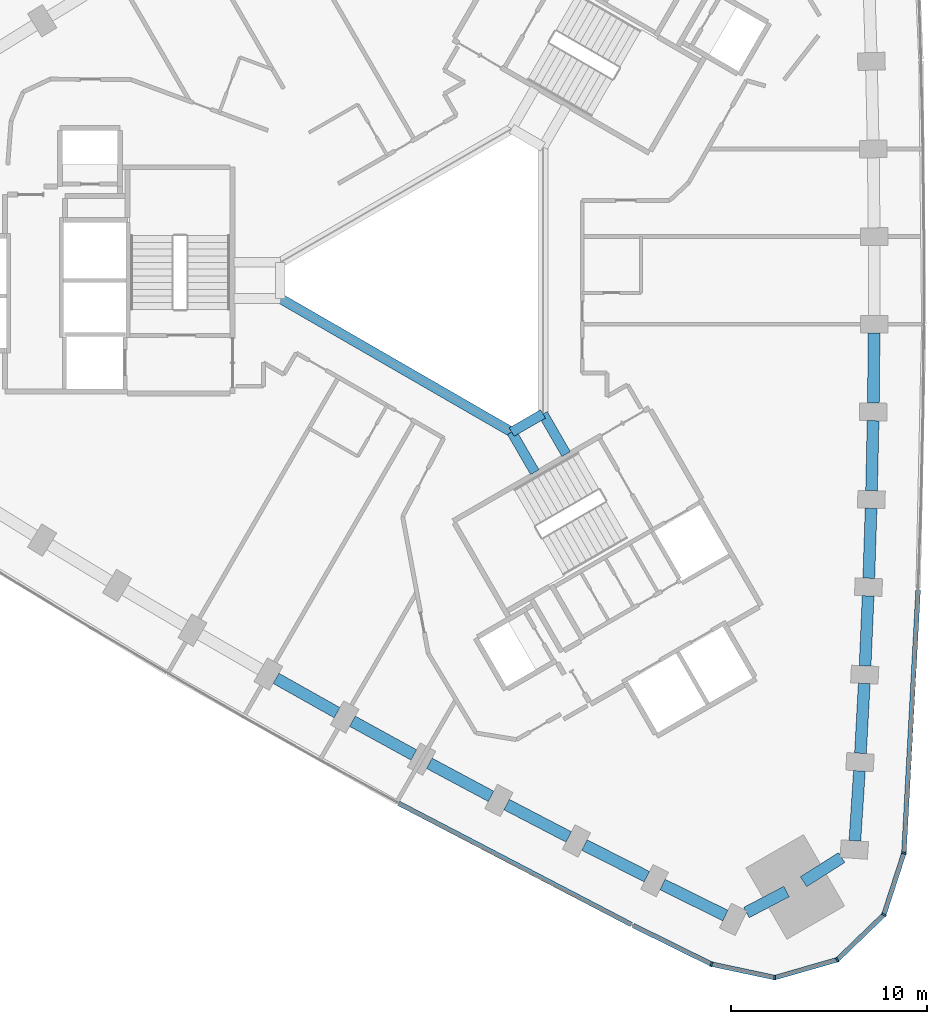
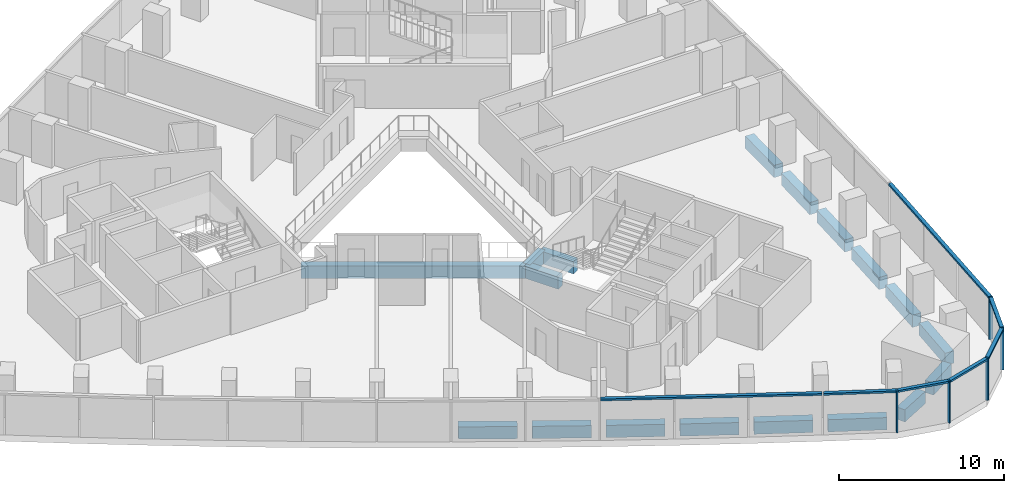
# One storey, part 3 of 13: 18 beams, 12 members, 2 elements without a shape of their own.
"""IFC4 building model written with IfcOpenShell, lengths in metres."""

from ifc_helpers import new_model, si_unit, direction, frame, origin, origin_2d, place, context, subcontext, project, spatial, rectangle, extrude, material, material_profile, profile_set, type_object, element, aggregate, save


model = new_model("IFC4")

# Units and contexts
model_context = context("Model", 3, precision=1e-05, world=origin(), true_north=direction((0.0, 1.0)))
body_context = subcontext(model_context, "Body", "Model", "MODEL_VIEW")
ifc_project = project(units=[si_unit("LENGTHUNIT", "METRE"), si_unit("AREAUNIT", "SQUARE_METRE"), si_unit("VOLUMEUNIT", "CUBIC_METRE"), si_unit("PLANEANGLEUNIT", "RADIAN"), si_unit("MASSUNIT", "GRAM", prefix="KILO")], contexts=[model_context])

# Site, building, storey
site_placement = place(None, origin())
site = spatial("IfcSite", under=ifc_project, at=site_placement, CompositionType="ELEMENT")
building_placement = place(site_placement, origin())
building = spatial("IfcBuilding", under=site, at=building_placement, Name="Tamra Quay Hotel Tower", CompositionType="ELEMENT")
storey_placement = place(building_placement, frame((0.0, 0.0, 60.199951171875)))
storey = spatial("IfcBuildingStorey", under=building, at=storey_placement, Name="L13", CompositionType="ELEMENT", Elevation=60.199951171875)

# Beams
ifc_material_1 = material(Name="Concrete M60", Category="concrete")
ifc_material_profile_1 = material_profile(ifc_material_1, rectangle(XDim=0.5, YDim=0.89990234375, at=origin_2d()), Name="ATRIUM EDGE BEAM RC 500x900")
ifc_profile_set_1 = profile_set([ifc_material_profile_1], Name="Concrete M60")
beam_type_1 = type_object("IfcBeamType", Name="ATRIUM EDGE BEAM RC 500x900", PredefinedType="BEAM", material=ifc_profile_set_1)
beam_1_placement = place(storey_placement, frame((5.0, -6.812744140625, -0.925048828125), z_axis=(-0.86602275259, -0.500004591975, 0.0), x_axis=(0.500004591975, -0.86602275259, 0.0)))
element("IfcBeam", 1, at=beam_1_placement, inside=storey, type_object=beam_type_1, Name="BM-AB1-L13", PredefinedType="BEAM", context=body_context, shape_type="SweptSolid", body=[
    extrude(rectangle(XDim=0.5, YDim=0.89990234375, at=origin_2d()), origin(), (0.0, 0.0, 1.0), 1.84765625),
])
beam_2_placement = place(storey_placement, frame((3.39990234375, -7.736572265625, -0.925048828125), z_axis=(-0.866021471679, 0.500006810544, 0.0), x_axis=(-0.500006810544, -0.866021471679, 0.0)))
element("IfcBeam", 2, at=beam_2_placement, inside=storey, type_object=beam_type_1, Name="BM-AB2-L13", PredefinedType="BEAM", context=body_context, shape_type="SweptSolid", body=[
    extrude(rectangle(XDim=0.5, YDim=0.89990234375, at=origin_2d()), origin(), (0.0, 0.0, 1.0), 13.625244140625),
])
ifc_material_profile_2 = material_profile(ifc_material_1, rectangle(XDim=0.5, YDim=0.89990234375, at=origin_2d()), Name="ATRIUM TIE BEAM RC 500x900")
ifc_profile_set_2 = profile_set([ifc_material_profile_2], Name="Concrete M60")
beam_type_2 = type_object("IfcBeamType", Name="ATRIUM TIE BEAM RC 500x900", PredefinedType="BEAM", material=ifc_profile_set_2)
for number, where, z_axis, x_axis, name in (
    (3, (5.0, -6.812744140625, -0.925048828125), (0.500029618126, -0.866008303076, 0.0), (0.866008303076, 0.500029618126, 0.0), "BM-TIE-1-L13"),
    (4, (3.39990234375, -7.736572265625, -0.925048828125), (0.500029618126, -0.866008303076, 0.0), (0.866008303076, 0.500029618126, 0.0), "BM-TIE-2-L13"),
):
    element("IfcBeam", number, at=place(storey_placement, frame(where, z_axis=z_axis, x_axis=x_axis)), inside=storey, type_object=beam_type_2, Name=name, PredefinedType="BEAM", context=body_context, shape_type="SweptSolid", body=[
        extrude(rectangle(XDim=0.5, YDim=0.89990234375, at=origin_2d()), origin(), (0.0, 0.0, 1.0), 2.362060546875),
    ])

# Curtain wall, member
ifc_material_2 = material(Name="Aluminium 6063 anodised dark grey", Category="aluminium")
curtain_wall_type_1 = type_object("IfcCurtainWallType", Name="CW1 CURTAIN WALL", PredefinedType="NOTDEFINED", material=ifc_material_2)
curtain_wall_1_placement = place(storey_placement, origin())
curtain_wall_1 = element("IfcCurtainWall", 5, at=curtain_wall_1_placement, inside=storey, type_object=curtain_wall_type_1, Name="CW1 east face L13", PredefinedType="NOTDEFINED")
ifc_material_profile_3 = material_profile(ifc_material_2, rectangle(XDim=0.239990234375, YDim=0.10009765625, at=origin_2d()), Name="MULLION 100X240")
ifc_profile_set_3 = profile_set([ifc_material_profile_3], Name="Aluminium 6063 anodised dark grey")
member_type_1 = type_object("IfcMemberType", Name="MULLION CW1 Z1", PredefinedType="MULLION", material=ifc_profile_set_3)
member_1_placement = place(storey_placement, frame((23.40869140625, -29.2109375, 0.0), z_axis=(0.0, 0.0, 1.0), x_axis=(0.982094529733, -0.188388785943, 0.0)))
member_1 = element("IfcMember", 6, at=member_1_placement, type_object=member_type_1, Name="CW1 mullion L13.E.1", PredefinedType="MULLION", context=body_context, shape_type="SweptSolid", body=[
    extrude(rectangle(XDim=0.239990234375, YDim=0.10009765625, at=origin_2d()), origin(), (0.0, 0.0, 1.0), 3.125),
])

# Curtain wall, members
curtain_wall_type_2 = type_object("IfcCurtainWallType", Name="CW3 CURTAIN WALL", PredefinedType="NOTDEFINED", material=ifc_material_2)
curtain_wall_2_placement = place(storey_placement, origin())
curtain_wall_2 = element("IfcCurtainWall", 7, at=curtain_wall_2_placement, inside=storey, type_object=curtain_wall_type_2, Name="CW3 south-west face L13", PredefinedType="NOTDEFINED")
ifc_material_profile_4 = material_profile(ifc_material_2, rectangle(XDim=0.239990234375, YDim=0.10009765625, at=origin_2d()), Name="MULLION 100X240")
ifc_profile_set_4 = profile_set([ifc_material_profile_4], Name="Aluminium 6063 anodised dark grey")
member_type_2 = type_object("IfcMemberType", Name="MULLION CW3 Z1", PredefinedType="MULLION", material=ifc_profile_set_4)
member_2_placement = place(storey_placement, frame((13.593017578125, -34.8779296875, 0.0), z_axis=(0.0, 0.0, 1.0), x_axis=(-0.327897790452, -0.944713204638, 0.0)))
member_2 = element("IfcMember", 8, at=member_2_placement, type_object=member_type_2, Name="CW3 mullion L13.SW.14", PredefinedType="MULLION", context=body_context, shape_type="SweptSolid", body=[
    extrude(rectangle(XDim=0.239990234375, YDim=0.10009765625, at=origin_2d()), origin(), (0.0, 0.0, 1.0), 3.125),
])
member_3_placement = place(storey_placement, frame((16.828125, -35.5654296875, 0.0), z_axis=(0.0, 0.0, 1.0), x_axis=(0.034915999879, -0.999390250579, 0.0)))
member_3 = element("IfcMember", 9, at=member_3_placement, type_object=member_type_2, Name="CW3 mullion L13.SW.15", PredefinedType="MULLION", context=body_context, shape_type="SweptSolid", body=[
    extrude(rectangle(XDim=0.239990234375, YDim=0.10009765625, at=origin_2d()), origin(), (0.0, 0.0, 1.0), 3.125),
])
member_4_placement = place(storey_placement, frame((20.00732421875, -34.65380859375, 0.0), z_axis=(0.0, 0.0, 1.0), x_axis=(0.5, -0.866025403784, 0.0)))
member_4 = element("IfcMember", 10, at=member_4_placement, type_object=member_type_2, Name="CW3 mullion L13.SW.16", PredefinedType="MULLION", context=body_context, shape_type="SweptSolid", body=[
    extrude(rectangle(XDim=0.239990234375, YDim=0.10009765625, at=origin_2d()), origin(), (0.0, 0.0, 1.0), 3.125),
])
member_5_placement = place(storey_placement, frame((22.386474609375, -32.356201171875, 0.0), z_axis=(0.0, 0.0, 1.0), x_axis=(0.848039345356, -0.529933268183, 0.0)))
member_5 = element("IfcMember", 11, at=member_5_placement, type_object=member_type_2, Name="CW3 mullion L13.SW.17", PredefinedType="MULLION", context=body_context, shape_type="SweptSolid", body=[
    extrude(rectangle(XDim=0.239990234375, YDim=0.10009765625, at=origin_2d()), origin(), (0.0, 0.0, 1.0), 3.125),
])

# Beams
ifc_material_profile_5 = material_profile(ifc_material_1, rectangle(XDim=0.60009765625, YDim=0.89990234375, at=origin_2d()), Name="SPANDREL BEAM RC 600x900")
ifc_profile_set_5 = profile_set([ifc_material_profile_5], Name="Concrete M60")
beam_type_3 = type_object("IfcBeamType", Name="SPANDREL BEAM RC 600x900", PredefinedType="SPANDREL", material=ifc_profile_set_5)
beam_3_placement = place(storey_placement, frame((20.908203125, -28.584716796875, -0.925048828125), z_axis=(0.064749077985, 0.99790157676, 0.0), x_axis=(-0.99790157676, 0.064749077985, 0.0)))
element("IfcBeam", 12, at=beam_3_placement, inside=storey, type_object=beam_type_3, Name="BM-SP1-000-L13", PredefinedType="SPANDREL", context=body_context, shape_type="SweptSolid", body=[
    extrude(rectangle(XDim=0.60009765625, YDim=0.89990234375, at=origin_2d()), origin(), (0.0, 0.0, 1.0), 3.57080078125),
])
beam_4_placement = place(storey_placement, frame((21.193115234375, -24.123046875, -0.925048828125), z_axis=(0.054026860576, 0.998539482613, 0.0), x_axis=(-0.998539482613, 0.054026860576, 0.0)))
element("IfcBeam", 13, at=beam_4_placement, inside=storey, type_object=beam_type_3, Name="BM-SP1-001-L13", PredefinedType="SPANDREL", context=body_context, shape_type="SweptSolid", body=[
    extrude(rectangle(XDim=0.60009765625, YDim=0.89990234375, at=origin_2d()), origin(), (0.0, 0.0, 1.0), 3.56982421875),
])
for number, where, z_axis, x_axis, name in (
    (14, (21.429931640625, -19.659423828125, -0.925048828125), (0.043282922957, 0.99906285517, 0.0), (-0.99906285517, 0.043282922957, 0.0), "BM-SP1-002-L13"),
    (15, (21.618408203125, -15.19287109375, -0.925048828125), (0.032547568535, 0.999470187541, 0.0), (-0.999470187541, 0.032547568535, 0.0), "BM-SP1-003-L13"),
):
    element("IfcBeam", number, at=place(storey_placement, frame(where, z_axis=z_axis, x_axis=x_axis)), inside=storey, type_object=beam_type_3, Name=name, PredefinedType="SPANDREL", context=body_context, shape_type="SweptSolid", body=[
        extrude(rectangle(XDim=0.60009765625, YDim=0.89990234375, at=origin_2d()), origin(), (0.0, 0.0, 1.0), 3.570556640625),
    ])
beam_5_placement = place(storey_placement, frame((21.7587890625, -10.724609375, -0.925048828125), z_axis=(0.021679013576, 0.999764982569, 0.0), x_axis=(-0.999764982569, 0.021679013576, 0.0)))
element("IfcBeam", 16, at=beam_5_placement, inside=storey, type_object=beam_type_3, Name="BM-SP1-004-L13", PredefinedType="SPANDREL", context=body_context, shape_type="SweptSolid", body=[
    extrude(rectangle(XDim=0.60009765625, YDim=0.89990234375, at=origin_2d()), origin(), (0.0, 0.0, 1.0), 3.56982421875),
])
for number, where, z_axis, x_axis, name in (
    (17, (21.850830078125, -6.255615234375, -0.925048828125), (0.010803527021, 0.999941640199, 0.0), (-0.999941640199, 0.010803527021, 0.0), "BM-SP1-005-L13"),
    (18, (-8.619384765625, -20.299560546875, -0.925048828125), (0.871431243693, -0.49051767299, 0.0), (0.49051767299, 0.871431243693, 0.0), "BM-SP1-037-L13"),
):
    element("IfcBeam", number, at=place(storey_placement, frame(where, z_axis=z_axis, x_axis=x_axis)), inside=storey, type_object=beam_type_3, Name=name, PredefinedType="SPANDREL", context=body_context, shape_type="SweptSolid", body=[
        extrude(rectangle(XDim=0.60009765625, YDim=0.89990234375, at=origin_2d()), origin(), (0.0, 0.0, 1.0), 3.570556640625),
    ])
beam_6_placement = place(storey_placement, frame((-4.72119140625, -22.48828125, -0.925048828125), z_axis=(0.876617015828, -0.481188744216, 0.0), x_axis=(0.481188744216, 0.876617015828, 0.0)))
element("IfcBeam", 19, at=beam_6_placement, inside=storey, type_object=beam_type_3, Name="BM-SP1-038-L13", PredefinedType="SPANDREL", context=body_context, shape_type="SweptSolid", body=[
    extrude(rectangle(XDim=0.60009765625, YDim=0.89990234375, at=origin_2d()), origin(), (0.0, 0.0, 1.0), 3.56982421875),
])
beam_7_placement = place(storey_placement, frame((-0.80029296875, -24.634765625, -0.925048828125), z_axis=(0.881809110934, -0.471606501094, 0.0), x_axis=(0.471606501094, 0.881809110934, 0.0)))
element("IfcBeam", 20, at=beam_7_placement, inside=storey, type_object=beam_type_3, Name="BM-SP1-039-L13", PredefinedType="SPANDREL", context=body_context, shape_type="SweptSolid", body=[
    extrude(rectangle(XDim=0.60009765625, YDim=0.89990234375, at=origin_2d()), origin(), (0.0, 0.0, 1.0), 3.5703125),
])
beam_8_placement = place(storey_placement, frame((3.14404296875, -26.73876953125, -0.925048828125), z_axis=(0.886863886749, -0.462030785101, 0.0), x_axis=(0.462030785101, 0.886863886749, 0.0)))
element("IfcBeam", 21, at=beam_8_placement, inside=storey, type_object=beam_type_3, Name="BM-SP1-040-L13", PredefinedType="SPANDREL", context=body_context, shape_type="SweptSolid", body=[
    extrude(rectangle(XDim=0.60009765625, YDim=0.89990234375, at=origin_2d()), origin(), (0.0, 0.0, 1.0), 3.570556640625),
])
beam_9_placement = place(storey_placement, frame((7.111083984375, -28.800048828125, -0.925048828125), z_axis=(0.891785652583, -0.452458119439, 0.0), x_axis=(0.452458119439, 0.891785652583, 0.0)))
element("IfcBeam", 22, at=beam_9_placement, inside=storey, type_object=beam_type_3, Name="BM-SP1-041-L13", PredefinedType="SPANDREL", context=body_context, shape_type="SweptSolid", body=[
    extrude(rectangle(XDim=0.60009765625, YDim=0.89990234375, at=origin_2d()), origin(), (0.0, 0.0, 1.0), 3.56982421875),
])
beam_10_placement = place(storey_placement, frame((11.099365234375, -30.818115234375, -0.925048828125), z_axis=(0.896604328032, -0.442832563113, 0.0), x_axis=(0.442832563113, 0.896604328032, 0.0)))
element("IfcBeam", 23, at=beam_10_placement, inside=storey, type_object=beam_type_3, Name="BM-SP1-042-L13", PredefinedType="SPANDREL", context=body_context, shape_type="SweptSolid", body=[
    extrude(rectangle(XDim=0.60009765625, YDim=0.89990234375, at=origin_2d()), origin(), (0.0, 0.0, 1.0), 3.57080078125),
])
beam_11_placement = place(storey_placement, frame((15.377197265625, -32.24609375, -0.925048828125), z_axis=(0.885674154565, 0.464307324879, 0.0), x_axis=(-0.464307324879, 0.885674154565, 0.0)))
element("IfcBeam", 24, at=beam_11_placement, inside=storey, type_object=beam_type_3, Name="BM-SP1-043-L13", PredefinedType="SPANDREL", context=body_context, shape_type="SweptSolid", body=[
    extrude(rectangle(XDim=0.60009765625, YDim=0.89990234375, at=origin_2d()), origin(), (0.0, 0.0, 1.0), 2.308349609375),
])
beam_12_placement = place(storey_placement, frame((18.28662109375, -30.6748046875, -0.925048828125), z_axis=(0.844978382684, 0.53480046073, 0.0), x_axis=(-0.53480046073, 0.844978382684, 0.0)))
element("IfcBeam", 25, at=beam_12_placement, inside=storey, type_object=beam_type_3, Name="BM-SP1-044-L13", PredefinedType="SPANDREL", context=body_context, shape_type="SweptSolid", body=[
    extrude(rectangle(XDim=0.60009765625, YDim=0.89990234375, at=origin_2d()), origin(), (0.0, 0.0, 1.0), 2.30859375),
])

# Member
ifc_material_profile_6 = material_profile(ifc_material_2, rectangle(XDim=0.239990234375, YDim=0.139892578125, at=origin_2d()), Name="TRANSOM 240X140")
ifc_profile_set_6 = profile_set([ifc_material_profile_6], Name="Aluminium 6063 anodised dark grey")
member_type_3 = type_object("IfcMemberType", Name="TRANSOM CW1 Z1", PredefinedType="USERDEFINED", material=ifc_profile_set_6)
member_6_placement = place(storey_placement, frame((23.411865234375, -29.160888671875, 3.054931640625), z_axis=(0.054052387444, 0.998538101132, 0.0), x_axis=(-0.998538101132, 0.054052387444, 0.0)))
member_6 = element("IfcMember", 26, at=member_6_placement, type_object=member_type_3, Name="CW1 transom L13.E.1", ObjectType="TRANSOM", PredefinedType="USERDEFINED", context=body_context, shape_type="SweptSolid", body=[
    extrude(rectangle(XDim=0.239990234375, YDim=0.139892578125, at=origin_2d()), origin(), (0.0, 0.0, 1.0), 13.39208984375),
])

aggregate(curtain_wall_1, [member_1, member_6])

ifc_material_profile_7 = material_profile(ifc_material_2, rectangle(XDim=0.239990234375, YDim=0.139892578125, at=origin_2d()), Name="TRANSOM 240X140")
ifc_profile_set_7 = profile_set([ifc_material_profile_7], Name="Aluminium 6063 anodised dark grey")
member_type_4 = type_object("IfcMemberType", Name="TRANSOM CW3 Z1", PredefinedType="USERDEFINED", material=ifc_profile_set_7)
member_7_placement = place(storey_placement, frame((-2.360595703125, -26.67578125, 3.054931640625), z_axis=(0.886850905356, -0.462055701913, 0.0), x_axis=(0.462055701913, 0.886850905356, 0.0)))
member_7 = element("IfcMember", 27, at=member_7_placement, type_object=member_type_4, Name="CW3 transom L13.SW.10", ObjectType="TRANSOM", PredefinedType="USERDEFINED", context=body_context, shape_type="SweptSolid", body=[
    extrude(rectangle(XDim=0.239990234375, YDim=0.139892578125, at=origin_2d()), origin(), (0.0, 0.0, 1.0), 13.392822265625),
])

member_8_placement = place(storey_placement, frame((9.606201171875, -32.908935546875, 3.054931640625), z_axis=(0.89661543445, -0.442810075208, 0.0), x_axis=(0.442810075208, 0.89661543445, 0.0)))
member_8 = element("IfcMember", 28, at=member_8_placement, type_object=member_type_4, Name="CW3 transom L13.SW.13", ObjectType="TRANSOM", PredefinedType="USERDEFINED", context=body_context, shape_type="SweptSolid", body=[
    extrude(rectangle(XDim=0.239990234375, YDim=0.139892578125, at=origin_2d()), origin(), (0.0, 0.0, 1.0), 4.396484375),
])

member_9_placement = place(storey_placement, frame((13.641845703125, -34.88818359375, 3.054931640625), z_axis=(0.978156336052, -0.20787059013, 0.0), x_axis=(0.20787059013, 0.978156336052, 0.0)))
member_9 = element("IfcMember", 29, at=member_9_placement, type_object=member_type_4, Name="CW3 transom L13.SW.14", ObjectType="TRANSOM", PredefinedType="USERDEFINED", context=body_context, shape_type="SweptSolid", body=[
    extrude(rectangle(XDim=0.239990234375, YDim=0.139892578125, at=origin_2d()), origin(), (0.0, 0.0, 1.0), 3.20751953125),
])

member_10_placement = place(storey_placement, frame((16.876220703125, -35.551513671875, 3.054931640625), z_axis=(0.961262114071, 0.275635897612, 0.0), x_axis=(-0.275635897612, 0.961262114071, 0.0)))
member_10 = element("IfcMember", 30, at=member_10_placement, type_object=member_type_4, Name="CW3 transom L13.SW.15", ObjectType="TRANSOM", PredefinedType="USERDEFINED", context=body_context, shape_type="SweptSolid", body=[
    extrude(rectangle(XDim=0.239990234375, YDim=0.139892578125, at=origin_2d()), origin(), (0.0, 0.0, 1.0), 3.207275390625),
])

member_11_placement = place(storey_placement, frame((20.043212890625, -34.618896484375, 3.054931640625), z_axis=(0.719405395398, 0.694590438367, 0.0), x_axis=(-0.694590438367, 0.719405395398, 0.0)))
member_11 = element("IfcMember", 31, at=member_11_placement, type_object=member_type_4, Name="CW3 transom L13.SW.16", ObjectType="TRANSOM", PredefinedType="USERDEFINED", context=body_context, shape_type="SweptSolid", body=[
    extrude(rectangle(XDim=0.239990234375, YDim=0.139892578125, at=origin_2d()), origin(), (0.0, 0.0, 1.0), 3.207275390625),
])

member_12_placement = place(storey_placement, frame((22.40185546875, -32.308837890625, 3.054931640625), z_axis=(0.309025833938, 0.951053644102, 0.0), x_axis=(-0.951053644102, 0.309025833938, 0.0)))
member_12 = element("IfcMember", 32, at=member_12_placement, type_object=member_type_4, Name="CW3 transom L13.SW.17", ObjectType="TRANSOM", PredefinedType="USERDEFINED", context=body_context, shape_type="SweptSolid", body=[
    extrude(rectangle(XDim=0.239990234375, YDim=0.139892578125, at=origin_2d()), origin(), (0.0, 0.0, 1.0), 3.20751953125),
])

aggregate(curtain_wall_2, [member_7, member_8, member_2, member_9, member_3, member_10, member_4, member_11, member_5, member_12])

save(model, "model.ifc")
